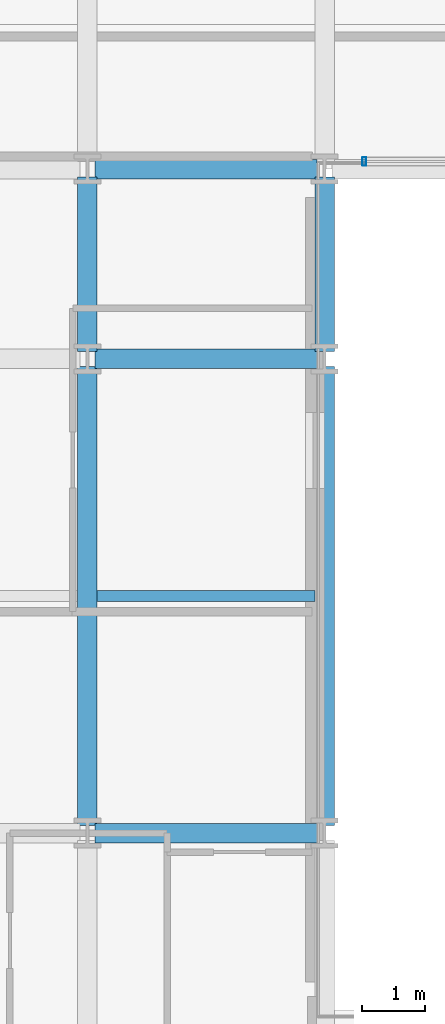
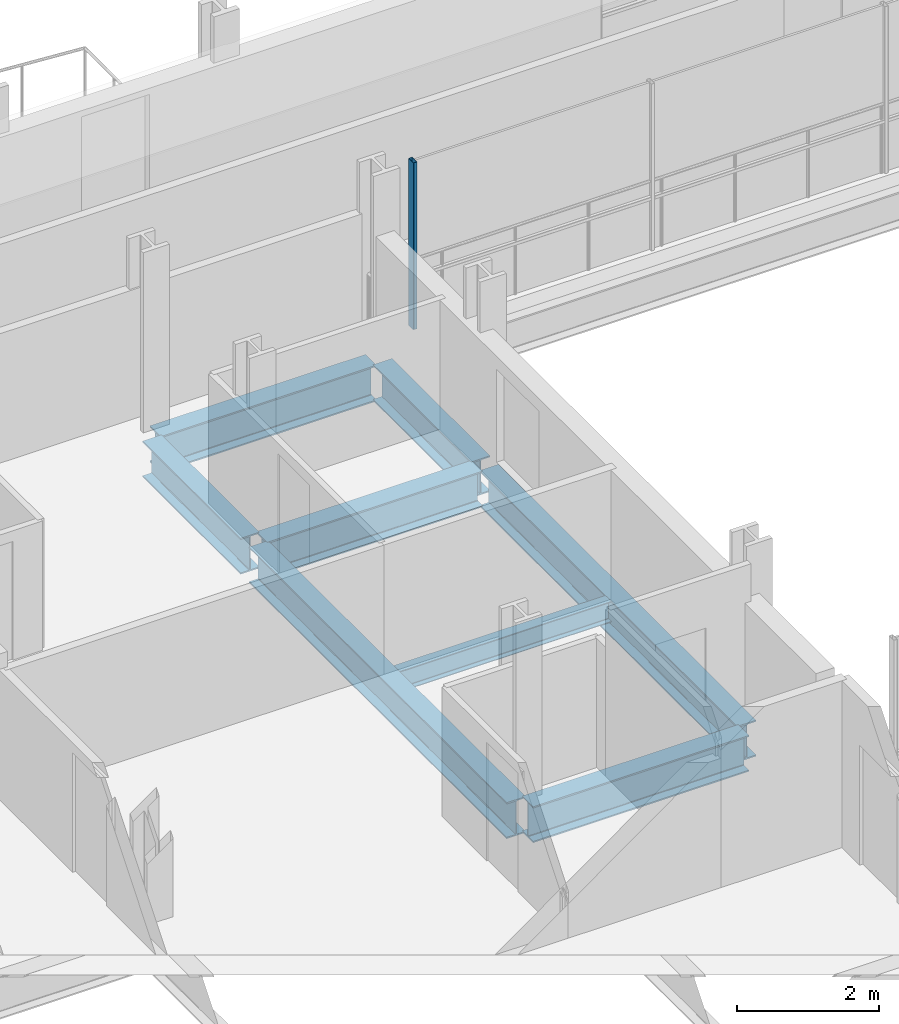
# One storey, part 8 of 38: 8 beams, 1 member, 1 element without a shape of its own.
"""IFC4 building model written with IfcOpenShell, lengths in metres."""

from ifc_helpers import new_model, si_unit, direction, frame, origin, origin_2d, place, context, subcontext, project, spatial, hollow_rectangle, i_section, extrude, material, layer, layer_set, material_profile, profile_set, type_object, element, aggregate, save


model = new_model("IFC4")

# Units and contexts
model_context = context("Model", 3, precision=1e-05, world=origin(), true_north=direction((0.0, 1.0)))
body_context = subcontext(model_context, "Body", "Model", "MODEL_VIEW")
ifc_project = project(units=[si_unit("LENGTHUNIT", "METRE"), si_unit("AREAUNIT", "SQUARE_METRE"), si_unit("VOLUMEUNIT", "CUBIC_METRE"), si_unit("PLANEANGLEUNIT", "RADIAN"), si_unit("MASSUNIT", "GRAM", prefix="KILO")], contexts=[model_context])

# Site, building, storey
site_placement = place(None, origin())
site = spatial("IfcSite", under=ifc_project, at=site_placement, CompositionType="ELEMENT")
building_placement = place(site_placement, origin())
building = spatial("IfcBuilding", under=site, at=building_placement, Name="Brevholm Reach", CompositionType="ELEMENT")
storey_placement = place(building_placement, frame((0.0, 0.0, 52.800048828125)))
storey = spatial("IfcBuildingStorey", under=building, at=storey_placement, Name="L14", CompositionType="ELEMENT", Elevation=52.800048828125)

# Beams
ifc_material_1 = material(Name="Structural Steel S355J2", Category="steel")
ifc_material_profile_1 = material_profile(ifc_material_1, i_section(OverallWidth=0.17138671875, OverallDepth=0.35498046875, WebThickness=0.00732421875, FlangeThickness=0.011474609375, FilletRadius=0.01025390625, at=origin_2d()), Name="UKB 356x171x51")
ifc_profile_set_1 = profile_set([ifc_material_profile_1], Name="Structural Steel S355J2")
beam_type_1 = type_object("IfcBeamType", Name="BM-B356", PredefinedType="BEAM", material=ifc_profile_set_1)
beam_1_placement = place(storey_placement, frame((18.153564453125, 19.75, -0.407470703125), z_axis=(1.0, 0.0, 0.0), x_axis=(0.0, 1.0, 0.0)))
element("IfcBeam", 1, at=beam_1_placement, inside=storey, type_object=beam_type_1, Name="L14 Composite Secondary Floor Beam", PredefinedType="BEAM", context=body_context, shape_type="SweptSolid", body=[
    extrude(i_section(OverallWidth=0.17138671875, OverallDepth=0.35498046875, WebThickness=0.00732421875, FlangeThickness=0.011474609375, FilletRadius=0.01025390625, at=origin_2d()), origin(), (0.0, 0.0, 1.0), 3.44287109375),
])
ifc_material_2 = material(Name="Structural Steel S355J2", Category="steel")
ifc_material_profile_2 = material_profile(ifc_material_2, i_section(OverallWidth=0.30712890625, OverallDepth=0.6201171875, WebThickness=0.01416015625, FlangeThickness=0.023681640625, FilletRadius=0.0166015625, at=origin_2d()), Name="UKB 610x305x179")
ifc_profile_set_2 = profile_set([ifc_material_profile_2], Name="Structural Steel S355J2")
beam_type_2 = type_object("IfcBeamType", Name="BM-UKB610H", PredefinedType="USERDEFINED", material=ifc_profile_set_2)
for number, where, z_axis, x_axis, name in (
    (2, (18.1201171875, 16.0, -0.5400390625), (1.0, 0.0, 0.0), (0.0, 1.0, 0.0), "L14 G-06 Framing Beam"),
    (3, (18.1201171875, 23.5, -0.5400390625), (1.0, 0.0, 0.0), (0.0, 1.0, 0.0), "L14 G-06 Framing Beam"),
    (4, (18.1201171875, 26.5, -0.5400390625), (1.0, 0.0, 0.0), (0.0, 1.0, 0.0), "L14 G-06 Framing Beam"),
):
    element("IfcBeam", number, at=place(storey_placement, frame(where, z_axis=z_axis, x_axis=x_axis)), inside=storey, type_object=beam_type_2, Name=name, ObjectType="GIRDER", PredefinedType="USERDEFINED", context=body_context, shape_type="SweptSolid", body=[
        extrude(i_section(OverallWidth=0.30712890625, OverallDepth=0.6201171875, WebThickness=0.01416015625, FlangeThickness=0.023681640625, FilletRadius=0.0166015625, at=origin_2d()), origin(), (0.0, 0.0, 1.0), 3.509765625),
    ])
beam_2_placement = place(storey_placement, frame((18.0, 16.1201171875, -0.5400390625), z_axis=(0.0, 1.0, 0.0), x_axis=(-1.0, 0.0, 0.0)))
element("IfcBeam", 5, at=beam_2_placement, inside=storey, type_object=beam_type_2, Name="L14 G-06 Framing Beam", ObjectType="GIRDER", PredefinedType="USERDEFINED", context=body_context, shape_type="SweptSolid", body=[
    extrude(i_section(OverallWidth=0.30712890625, OverallDepth=0.6201171875, WebThickness=0.01416015625, FlangeThickness=0.023681640625, FilletRadius=0.0166015625, at=origin_2d()), origin(), (0.0, 0.0, 1.0), 7.259765625),
])
beam_3_placement = place(storey_placement, frame((18.0, 23.6201171875, -0.5400390625), z_axis=(0.0, 1.0, 0.0), x_axis=(-1.0, 0.0, 0.0)))
element("IfcBeam", 6, at=beam_3_placement, inside=storey, type_object=beam_type_2, Name="L14 G-06 Framing Beam", ObjectType="GIRDER", PredefinedType="USERDEFINED", context=body_context, shape_type="SweptSolid", body=[
    extrude(i_section(OverallWidth=0.30712890625, OverallDepth=0.6201171875, WebThickness=0.01416015625, FlangeThickness=0.023681640625, FilletRadius=0.0166015625, at=origin_2d()), origin(), (0.0, 0.0, 1.0), 2.759765625),
])
beam_4_placement = place(storey_placement, frame((21.75, 16.1201171875, -0.5400390625), z_axis=(0.0, 1.0, 0.0), x_axis=(-1.0, 0.0, 0.0)))
element("IfcBeam", 7, at=beam_4_placement, inside=storey, type_object=beam_type_2, Name="L14 G-06 Framing Beam", ObjectType="GIRDER", PredefinedType="USERDEFINED", context=body_context, shape_type="SweptSolid", body=[
    extrude(i_section(OverallWidth=0.30712890625, OverallDepth=0.6201171875, WebThickness=0.01416015625, FlangeThickness=0.023681640625, FilletRadius=0.0166015625, at=origin_2d()), origin(), (0.0, 0.0, 1.0), 7.259765625),
])
beam_5_placement = place(storey_placement, frame((21.75, 23.6201171875, -0.5400390625), z_axis=(0.0, 1.0, 0.0), x_axis=(-1.0, 0.0, 0.0)))
element("IfcBeam", 8, at=beam_5_placement, inside=storey, type_object=beam_type_2, Name="L14 G-06 Framing Beam", ObjectType="GIRDER", PredefinedType="USERDEFINED", context=body_context, shape_type="SweptSolid", body=[
    extrude(i_section(OverallWidth=0.30712890625, OverallDepth=0.6201171875, WebThickness=0.01416015625, FlangeThickness=0.023681640625, FilletRadius=0.0166015625, at=origin_2d()), origin(), (0.0, 0.0, 1.0), 2.759765625),
])

# Curtain wall, member
ifc_material_3 = material(Name="Dark Anodised Aluminium 6063-T6 and Solar-Control Glass", Category="aluminium")
ifc_layer = layer(ifc_material_3, 0.139892578125)
ifc_layer_set = layer_set([ifc_layer], Name="Dark Anodised Aluminium 6063-T6 and Solar-Control Glass")
curtain_wall_type = type_object("IfcCurtainWallType", Name="CW-02", PredefinedType="NOTDEFINED", material=ifc_layer_set)
curtain_wall_placement = place(storey_placement, origin())
curtain_wall = element("IfcCurtainWall", 9, at=curtain_wall_placement, inside=storey, type_object=curtain_wall_type, Name="L14 Curtain Wall CW-02", PredefinedType="NOTDEFINED")
ifc_material_4 = material(Name="Dark Anodised Aluminium 6063-T6", Category="aluminium")
ifc_material_profile_3 = material_profile(ifc_material_4, hollow_rectangle(XDim=0.06005859375, YDim=0.139892578125, WallThickness=0.0048828125, InnerFilletRadius=0.0048828125, OuterFilletRadius=0.010009765625, at=origin_2d()), Name="RHS 140x60x5")
ifc_profile_set_3 = profile_set([ifc_material_profile_3], Name="Dark Anodised Aluminium 6063-T6")
member_type = type_object("IfcMemberType", Name="CWM-140", PredefinedType="MULLION", material=ifc_profile_set_3)
member_placement = place(storey_placement, frame((22.3798828125, 26.6201171875, 0.0), z_axis=(0.0, 0.0, 1.0), x_axis=(-1.0, 0.0, 0.0)))
member = element("IfcMember", 10, at=member_placement, type_object=member_type, Name="CM-140 Mullion 5", PredefinedType="MULLION", context=body_context, shape_type="SweptSolid", body=[
    extrude(hollow_rectangle(XDim=0.06005859375, YDim=0.139892578125, WallThickness=0.0048828125, InnerFilletRadius=0.0048828125, OuterFilletRadius=0.010009765625, at=origin_2d()), origin(), (0.0, 0.0, 1.0), 2.869873046875),
])
aggregate(curtain_wall, [member])

save(model, "model.ifc")
